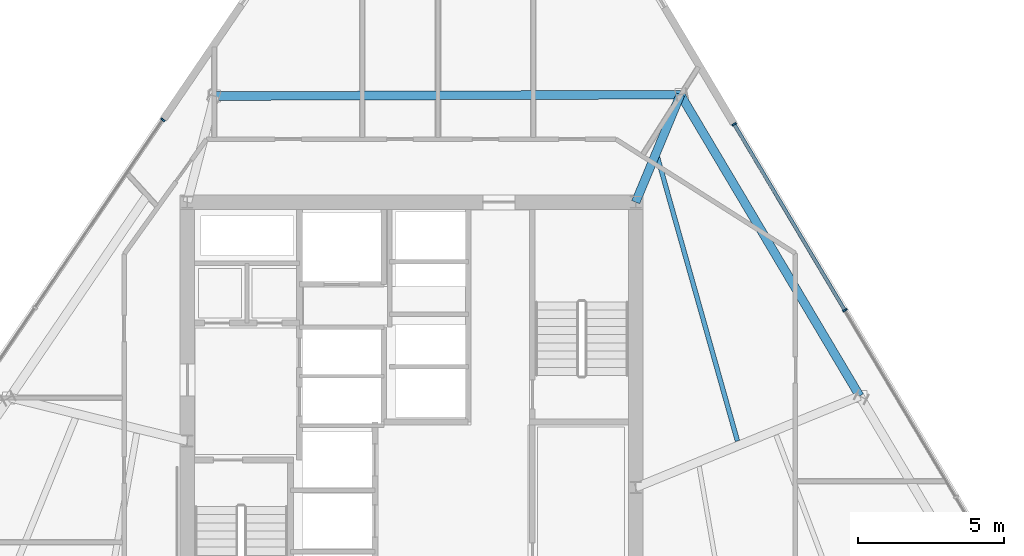
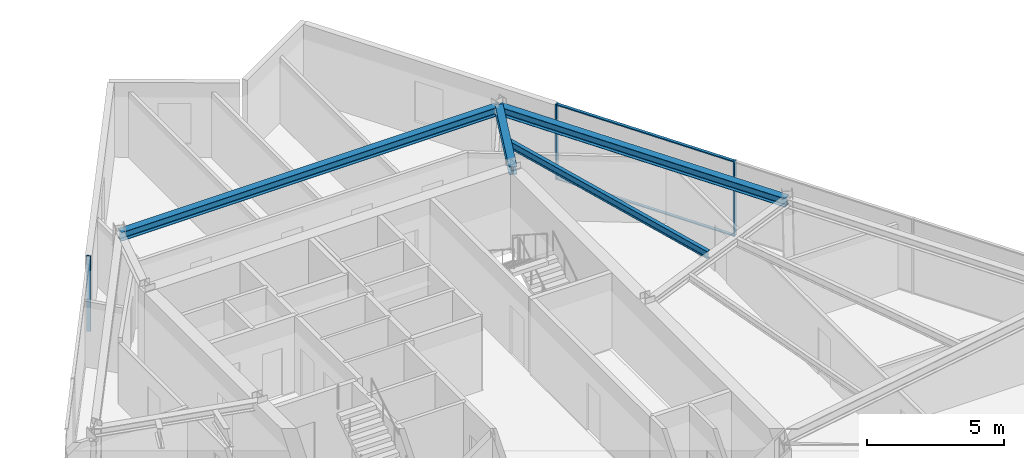
# One storey, part 6 of 15: 5 members, 4 beams, 2 elements without a shape of their own.
"""IFC4 building model written with IfcOpenShell, lengths in metres."""

from ifc_helpers import new_model, si_unit, direction, frame, origin, origin_2d, place, context, subcontext, project, spatial, rectangle, i_section, extrude, material, material_profile, profile_set, type_object, element, aggregate, save


model = new_model("IFC4")

# Units and contexts
model_context = context("Model", 3, precision=1e-05, world=origin(), true_north=direction((0.0, 1.0)))
body_context = subcontext(model_context, "Body", "Model", "MODEL_VIEW")
ifc_project = project(units=[si_unit("LENGTHUNIT", "METRE"), si_unit("AREAUNIT", "SQUARE_METRE"), si_unit("VOLUMEUNIT", "CUBIC_METRE"), si_unit("PLANEANGLEUNIT", "RADIAN"), si_unit("MASSUNIT", "GRAM", prefix="KILO")], contexts=[model_context])

# Site, building, storey
site_placement = place(None, origin())
site = spatial("IfcSite", under=ifc_project, at=site_placement, CompositionType="ELEMENT")
building_placement = place(site_placement, origin())
building = spatial("IfcBuilding", under=site, at=building_placement, Name="Savorim Split Tower", CompositionType="ELEMENT")
storey_placement = place(building_placement, frame((0.0, 0.0, 167.39990234375)))
storey = spatial("IfcBuildingStorey", under=building, at=storey_placement, Name="L44", CompositionType="ELEMENT", Elevation=167.39990234375)

# Beams
ifc_material_1 = material(Name="Steel S355", Category="steel")
ifc_material_profile_1 = material_profile(ifc_material_1, i_section(OverallWidth=0.159912109375, OverallDepth=0.330078125, WebThickness=0.007568359375, FlangeThickness=0.011474609375, FilletRadius=0.01806640625, at=origin_2d()), Name="IPE 330")
ifc_profile_set_1 = profile_set([ifc_material_profile_1], Name="Steel S355")
beam_type_1 = type_object("IfcBeamType", Name="BM-JST-IPE330", PredefinedType="JOIST", material=ifc_profile_set_1)
beam_1_placement = place(storey_placement, frame((11.1953125, 1.999267578125, 3.18505859375), z_axis=(-0.271075851488, 0.962557989287, 0.0), x_axis=(-0.962557989287, -0.271075851488, 0.0)))
element("IfcBeam", 1, at=beam_1_placement, inside=storey, type_object=beam_type_1, Name="L44 Secondary Floor Joist JS-07", PredefinedType="JOIST", context=body_context, shape_type="SweptSolid", body=[
    extrude(i_section(OverallWidth=0.159912109375, OverallDepth=0.330078125, WebThickness=0.007568359375, FlangeThickness=0.011474609375, FilletRadius=0.01806640625, at=origin_2d()), origin(), (0.0, 0.0, 1.0), 10.125),
])
ifc_material_profile_2 = material_profile(ifc_material_1, i_section(OverallWidth=0.300048828125, OverallDepth=0.360107421875, WebThickness=0.012451171875, FlangeThickness=0.0224609375, FilletRadius=0.027099609375, at=origin_2d()), Name="HEB 360")
ifc_profile_set_2 = profile_set([ifc_material_profile_2], Name="Steel S355")
beam_type_2 = type_object("IfcBeamType", Name="BM-PRI-HEB360", PredefinedType="BEAM", material=ifc_profile_set_2)
beam_2_placement = place(storey_placement, frame((9.23779296875, 13.893310546875, 3.170166015625), z_axis=(-0.384390053844, -0.923170778624, 0.0), x_axis=(0.923170778624, -0.384390053844, 0.0)))
element("IfcBeam", 2, at=beam_2_placement, inside=storey, type_object=beam_type_2, Name="L44 Primary Floor Girder RG-07", PredefinedType="BEAM", context=body_context, shape_type="SweptSolid", body=[
    extrude(i_section(OverallWidth=0.300048828125, OverallDepth=0.360107421875, WebThickness=0.012451171875, FlangeThickness=0.0224609375, FilletRadius=0.027099609375, at=origin_2d()), origin(), (0.0, 0.0, 1.0), 4.000732421875),
])
ifc_material_profile_3 = material_profile(ifc_material_1, i_section(OverallWidth=0.300048828125, OverallDepth=0.389892578125, WebThickness=0.010986328125, FlangeThickness=0.01904296875, FilletRadius=0.027099609375, at=origin_2d()), Name="HEA 400")
ifc_profile_set_3 = profile_set([ifc_material_profile_3], Name="Steel S355")
beam_type_3 = type_object("IfcBeamType", Name="BM-SPN-HEA400", PredefinedType="SPANDREL", material=ifc_profile_set_3)
beam_3_placement = place(storey_placement, frame((15.39306640625, 3.541748046875, 3.155029296875), z_axis=(-0.51109320309, 0.859525297915, 0.0), x_axis=(-0.859525297915, -0.51109320309, 0.0)))
element("IfcBeam", 3, at=beam_3_placement, inside=storey, type_object=beam_type_3, Name="L44 Perimeter Spandrel Beam 6", PredefinedType="SPANDREL", context=body_context, shape_type="SweptSolid", body=[
    extrude(i_section(OverallWidth=0.300048828125, OverallDepth=0.389892578125, WebThickness=0.010986328125, FlangeThickness=0.01904296875, FilletRadius=0.027099609375, at=origin_2d()), origin(), (0.0, 0.0, 1.0), 12.04345703125),
])
beam_4_placement = place(storey_placement, frame((9.23779296875, 13.893310546875, 3.155029296875), z_axis=(-0.999995340149, -0.003052814984, 0.0), x_axis=(0.003052814984, -0.999995340149, 0.0)))
element("IfcBeam", 4, at=beam_4_placement, inside=storey, type_object=beam_type_3, Name="L44 Perimeter Spandrel Beam 7", PredefinedType="SPANDREL", context=body_context, shape_type="SweptSolid", body=[
    extrude(i_section(OverallWidth=0.300048828125, OverallDepth=0.389892578125, WebThickness=0.010986328125, FlangeThickness=0.01904296875, FilletRadius=0.027099609375, at=origin_2d()), origin(), (0.0, 0.0, 1.0), 15.994384765625),
])

# Curtain wall, members
ifc_material_2 = material(Name="Dark Ceramic-Fritted Insulated Glass", Category="glass")
curtain_wall_type = type_object("IfcCurtainWallType", Name="CW-TWR-FRIT-B", PredefinedType="NOTDEFINED", material=ifc_material_2)
curtain_wall_1_placement = place(storey_placement, origin())
curtain_wall_1 = element("IfcCurtainWall", 5, at=curtain_wall_1_placement, inside=storey, type_object=curtain_wall_type, Name="L44 Curtain Wall CW-L44-EAST", PredefinedType="NOTDEFINED")
ifc_material_3 = material(Name="Charcoal Anodised Aluminium", Category="aluminium")
ifc_material_profile_4 = material_profile(ifc_material_3, rectangle(XDim=0.159912109375, YDim=0.06005859375, at=origin_2d()), Name="ALU-M 160x60")
ifc_profile_set_4 = profile_set([ifc_material_profile_4], Name="Charcoal Anodised Aluminium")
member_type_1 = type_object("IfcMemberType", Name="CWM-160x60", PredefinedType="MULLION", material=ifc_profile_set_4)
member_1_placement = place(storey_placement, frame((14.8818359375, 6.48779296875, 0.0), z_axis=(0.0, 0.0, 1.0), x_axis=(-0.85952495128, -0.511093786039, 0.0)))
member_1 = element("IfcMember", 6, at=member_1_placement, type_object=member_type_1, Name="CW-03 mullion 4", PredefinedType="MULLION", context=body_context, shape_type="SweptSolid", body=[
    extrude(rectangle(XDim=0.159912109375, YDim=0.06005859375, at=origin_2d()), origin(), (0.0, 0.0, 1.0), 3.35009765625),
])
member_2_placement = place(storey_placement, frame((11.08251953125, 12.877197265625, 0.0), z_axis=(0.0, 0.0, 1.0), x_axis=(-0.85952495128, -0.511093786039, 0.0)))
member_2 = element("IfcMember", 7, at=member_2_placement, type_object=member_type_1, Name="CW-03 mullion 5", PredefinedType="MULLION", context=body_context, shape_type="SweptSolid", body=[
    extrude(rectangle(XDim=0.159912109375, YDim=0.06005859375, at=origin_2d()), origin(), (0.0, 0.0, 1.0), 3.35009765625),
])

# Curtain wall, member
curtain_wall_2_placement = place(storey_placement, origin())
curtain_wall_2 = element("IfcCurtainWall", 8, at=curtain_wall_2_placement, inside=storey, type_object=curtain_wall_type, Name="L44 Curtain Wall CW-L44-WEST", PredefinedType="NOTDEFINED")
member_3_placement = place(storey_placement, frame((-8.533935546875, 13.028564453125, 0.0), z_axis=(0.0, 0.0, 1.0), x_axis=(0.826819248854, -0.562467714384, 0.0)))
member_3 = element("IfcMember", 9, at=member_3_placement, type_object=member_type_1, Name="CW-03 mullion 1", PredefinedType="MULLION", context=body_context, shape_type="SweptSolid", body=[
    extrude(rectangle(XDim=0.159912109375, YDim=0.06005859375, at=origin_2d()), origin(), (0.0, 0.0, 1.0), 3.35009765625),
])
aggregate(curtain_wall_2, [member_3])

# Member
ifc_material_profile_5 = material_profile(ifc_material_3, rectangle(XDim=0.1201171875, YDim=0.050048828125, at=origin_2d()), Name="ALU-T 120x50")
ifc_profile_set_5 = profile_set([ifc_material_profile_5], Name="Charcoal Anodised Aluminium")
member_type_2 = type_object("IfcMemberType", Name="CWT-120x50", PredefinedType="USERDEFINED", material=ifc_profile_set_5)
member_4_placement = place(storey_placement, frame((14.866455078125, 6.513671875, 0.025146484375), z_axis=(-0.511097871575, 0.859522521911, 0.0), x_axis=(-0.859522521911, -0.511097871575, 0.0)))
member_4 = element("IfcMember", 10, at=member_4_placement, type_object=member_type_2, Name="CW-03 transom 4.1", ObjectType="TRANSOM", PredefinedType="USERDEFINED", context=body_context, shape_type="SweptSolid", body=[
    extrude(rectangle(XDim=0.1201171875, YDim=0.050048828125, at=origin_2d()), origin(), (0.0, 0.0, 1.0), 7.37353515625),
])

member_5_placement = place(storey_placement, frame((14.866455078125, 6.513671875, 3.3251953125), z_axis=(-0.511097871575, 0.859522521911, 0.0), x_axis=(-0.859522521911, -0.511097871575, 0.0)))
member_5 = element("IfcMember", 11, at=member_5_placement, type_object=member_type_2, Name="CW-03 transom 4.2", ObjectType="TRANSOM", PredefinedType="USERDEFINED", context=body_context, shape_type="SweptSolid", body=[
    extrude(rectangle(XDim=0.1201171875, YDim=0.050048828125, at=origin_2d()), origin(), (0.0, 0.0, 1.0), 7.37353515625),
])

aggregate(curtain_wall_1, [member_1, member_2, member_4, member_5])

save(model, "model.ifc")
